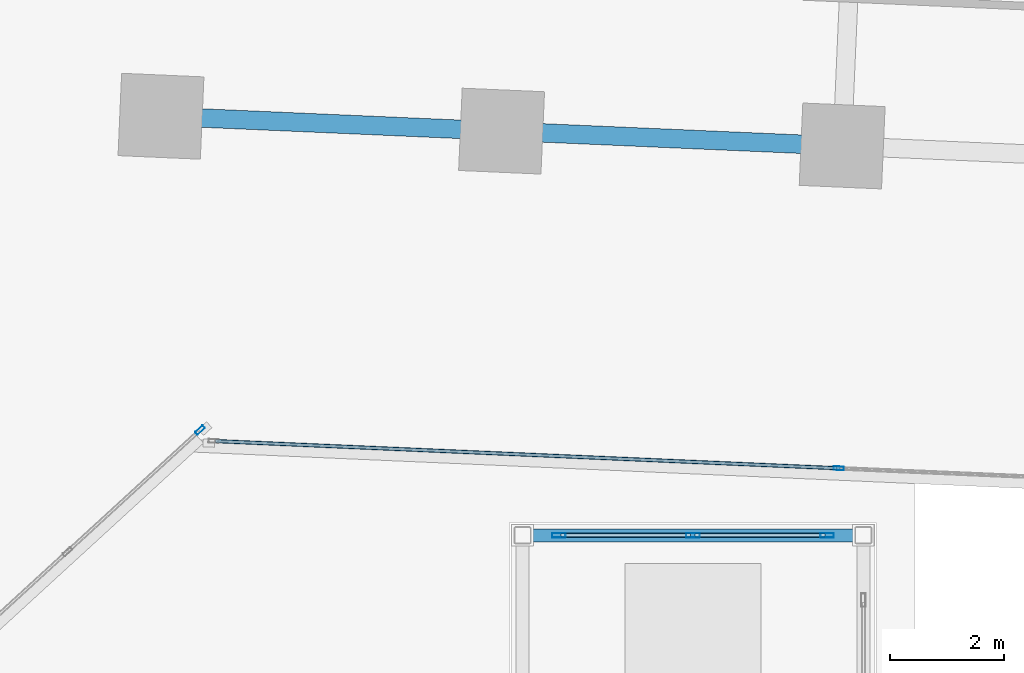
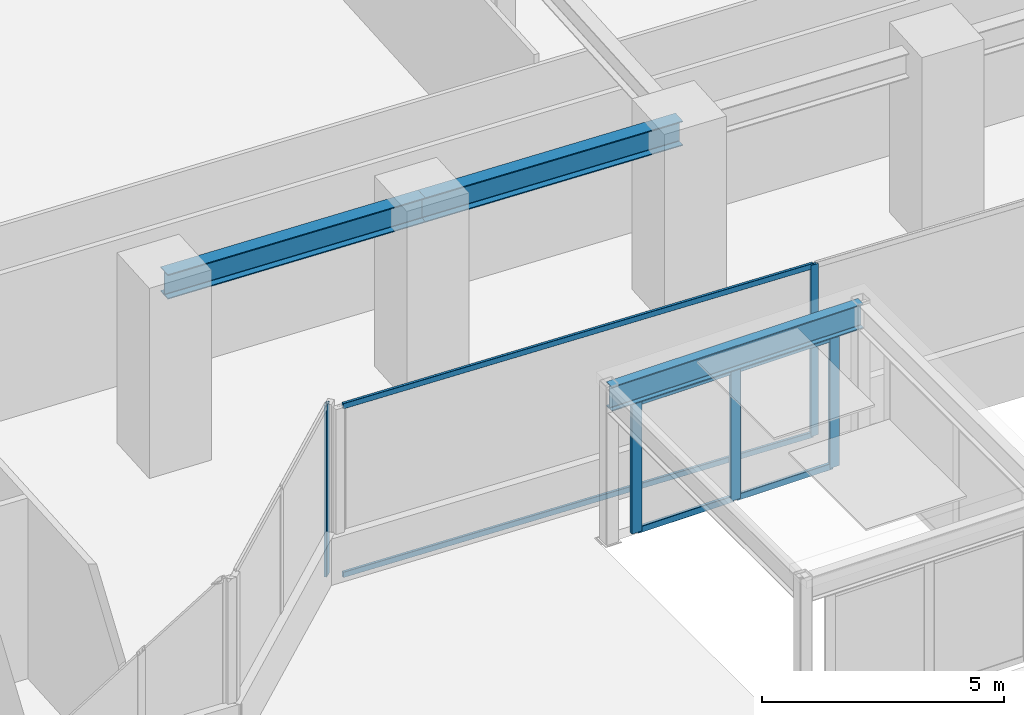
# One storey, part 11 of 33: 11 members, 3 beams, 3 elements without a shape of their own.
"""IFC4 building model written with IfcOpenShell, lengths in metres."""

from ifc_helpers import new_model, si_unit, direction, frame, origin, origin_2d, place, context, subcontext, project, spatial, hollow_rectangle, i_section, extrude, source, transform, mapped, material, material_profile, profile_set, type_object, element, aggregate, save


model = new_model("IFC4")

# Units and contexts
model_context = context("Model", 3, precision=1e-05, world=origin(), true_north=direction((0.0, 1.0)))
body_context = subcontext(model_context, "Body", "Model", "MODEL_VIEW")
ifc_project = project(units=[si_unit("LENGTHUNIT", "METRE"), si_unit("AREAUNIT", "SQUARE_METRE"), si_unit("VOLUMEUNIT", "CUBIC_METRE"), si_unit("PLANEANGLEUNIT", "RADIAN"), si_unit("MASSUNIT", "GRAM", prefix="KILO")], contexts=[model_context])

# Site, building, storey
site_placement = place(None, origin())
site = spatial("IfcSite", under=ifc_project, at=site_placement, CompositionType="ELEMENT")
building_placement = place(site_placement, origin())
building = spatial("IfcBuilding", under=site, at=building_placement, Name="Torre Montelarca", CompositionType="ELEMENT")
storey_placement = place(building_placement, frame((0.0, 0.0, 32.800048828125)))
storey = spatial("IfcBuildingStorey", under=building, at=storey_placement, Name="L07", CompositionType="ELEMENT", Elevation=32.800048828125)

# Beams
ifc_material_1 = material(Name="Steel ASTM A992 Grade 50", Category="steel")
ifc_material_profile_1 = material_profile(ifc_material_1, i_section(OverallWidth=0.22998046875, OverallDepth=0.616943359375, WebThickness=0.01318359375, FlangeThickness=0.022216796875, FilletRadius=0.014892578125, at=origin_2d()), Name="W610X140", Category="steel")
ifc_profile_set_1 = profile_set([ifc_material_profile_1], Name="Steel ASTM A992 Grade 50")
beam_type_1 = type_object("IfcBeamType", Name="BM-G-W610-EXT", PredefinedType="BEAM", material=ifc_profile_set_1)
shared_shape_1 = source(origin(), body_context, "Body", "SweptSolid", [
    extrude(i_section(OverallWidth=0.22998046875, OverallDepth=0.616943359375, WebThickness=0.01318359375, FlangeThickness=0.022216796875, FilletRadius=0.014892578125, at=origin_2d()), origin(), (0.0, 0.0, 1.0), 6.0),
])
beam_1_placement = place(storey_placement, frame((48.0, 16.0, 3.63134765625), z_axis=(-1.0, 0.0, 0.0), x_axis=(0.0, -1.0, 0.0)))
element("IfcBeam", 1, at=beam_1_placement, inside=storey, type_object=beam_type_1, Name="L07 Exchange Atrium Lantern Ring Beam 3", PredefinedType="BEAM", context=body_context, shape_type="MappedRepresentation", body=[
    mapped(shared_shape_1, transform((0.0, 0.0, 0.0), scale=1.0)),
])
ifc_material_profile_2 = material_profile(ifc_material_1, i_section(OverallWidth=0.326904296875, OverallDepth=0.6220703125, WebThickness=0.015380859375, FlangeThickness=0.0244140625, FilletRadius=0.014892578125, at=origin_2d()), Name="W610X195", Category="steel")
ifc_profile_set_2 = profile_set([ifc_material_profile_2], Name="Steel ASTM A992 Grade 50")
beam_type_2 = type_object("IfcBeamType", Name="BM-G-W610H", PredefinedType="BEAM", material=ifc_profile_set_2)
shared_shape_2 = source(origin(), body_context, "Body", "SweptSolid", [
    extrude(i_section(OverallWidth=0.326904296875, OverallDepth=0.6220703125, WebThickness=0.015380859375, FlangeThickness=0.0244140625, FilletRadius=0.014892578125, at=origin_2d()), origin(), (0.0, 0.0, 1.0), 6.0),
])
beam_2_placement = place(storey_placement, frame((35.63720703125, 23.375, 4.2490234375), z_axis=(0.999048234227, -0.043619097751, 0.0), x_axis=(0.043619097751, 0.999048234227, 0.0)))
element("IfcBeam", 2, at=beam_2_placement, inside=storey, type_object=beam_type_2, Name="L07 Grid Girder X 36.0-42.0 at Y=24.0", PredefinedType="BEAM", context=body_context, shape_type="MappedRepresentation", body=[
    mapped(shared_shape_2, transform((0.0, 0.0, 0.0), scale=1.0)),
])
shared_shape_3 = source(origin(), body_context, "Body", "SweptSolid", [
    extrude(i_section(OverallWidth=0.326904296875, OverallDepth=0.6220703125, WebThickness=0.015380859375, FlangeThickness=0.0244140625, FilletRadius=0.014892578125, at=origin_2d()), origin(), (0.0, 0.0, 1.0), 5.999755859375),
])
beam_3_placement = place(storey_placement, frame((41.631591796875, 23.11328125, 4.2490234375), z_axis=(0.999049929275, -0.043580257179, 0.0), x_axis=(0.043580257179, 0.999049929275, 0.0)))
element("IfcBeam", 3, at=beam_3_placement, inside=storey, type_object=beam_type_2, Name="L07 Grid Girder X 42.0-48.0 at Y=24.0", PredefinedType="BEAM", context=body_context, shape_type="MappedRepresentation", body=[
    mapped(shared_shape_3, transform((0.0, 0.0, 0.0), scale=1.0)),
])

# Curtain wall, member
ifc_material_2 = material(Name="Insulated low-E laminated glass", Category="glass")
curtain_wall_type_1 = type_object("IfcCurtainWallType", Name="CW-SYS-Z1", PredefinedType="USERDEFINED", material=ifc_material_2)
curtain_wall_1_placement = place(storey_placement, origin())
curtain_wall_1 = element("IfcCurtainWall", 4, at=curtain_wall_1_placement, inside=storey, type_object=curtain_wall_type_1, Name="L07 Curtain Wall Run CW-T3-L07-E02-B1", ObjectType="UNITISED GLAZING", PredefinedType="USERDEFINED")
ifc_material_3 = material(Name="Anodised aluminium AA 6063-T6", Category="aluminium")
ifc_material_profile_3 = material_profile(ifc_material_3, hollow_rectangle(XDim=0.06494140625, YDim=0.179931640625, WallThickness=0.00390625, InnerFilletRadius=0.00390625, OuterFilletRadius=0.008056640625, at=origin_2d()), Name="ALU65X180X4", Category="aluminium")
ifc_profile_set_3 = profile_set([ifc_material_profile_3], Name="Anodised aluminium AA 6063-T6")
member_type_1 = type_object("IfcMemberType", Name="CWM-ALU180", PredefinedType="MULLION", material=ifc_profile_set_3)
shared_shape_4 = source(origin(), body_context, "Body", "SweptSolid", [
    extrude(hollow_rectangle(XDim=0.06494140625, YDim=0.179931640625, WallThickness=0.00390625, InnerFilletRadius=0.00390625, OuterFilletRadius=0.008056640625, at=origin_2d()), origin(), (0.0, 0.0, 1.0), 4.320068359375),
])
member_1_placement = place(storey_placement, frame((36.324951171875, 17.8515625, 0.0), z_axis=(0.0, 0.0, 1.0), x_axis=(-0.675574618781, 0.737291621042, 0.0)))
member_1 = element("IfcMember", 5, at=member_1_placement, type_object=member_type_1, Name="CW mullion 3", PredefinedType="MULLION", context=body_context, shape_type="MappedRepresentation", body=[
    mapped(shared_shape_4, transform((0.0, 0.0, 0.0), scale=1.0)),
])
aggregate(curtain_wall_1, [member_1])

# Curtain wall, members
curtain_wall_2_placement = place(storey_placement, origin())
curtain_wall_2 = element("IfcCurtainWall", 6, at=curtain_wall_2_placement, inside=storey, type_object=curtain_wall_type_1, Name="L07 Curtain Wall Run CW-T3-L07-E04-B1", ObjectType="UNITISED GLAZING", PredefinedType="USERDEFINED")
member_2_placement = place(storey_placement, frame((47.56640625, 17.178955078125, 0.0), z_axis=(0.0, 0.0, 1.0), x_axis=(0.043617352644, 0.999048310418, 0.0)))
member_2 = element("IfcMember", 7, at=member_2_placement, type_object=member_type_1, Name="CW mullion 2", PredefinedType="MULLION", context=body_context, shape_type="MappedRepresentation", body=[
    mapped(shared_shape_4, transform((0.0, 0.0, 0.0), scale=1.0)),
])
ifc_material_profile_4 = material_profile(ifc_material_3, hollow_rectangle(XDim=0.06494140625, YDim=0.139892578125, WallThickness=0.00390625, InnerFilletRadius=0.00390625, OuterFilletRadius=0.008056640625, at=origin_2d()), Name="ALU65X140X4", Category="aluminium")
ifc_profile_set_4 = profile_set([ifc_material_profile_4], Name="Anodised aluminium AA 6063-T6")
member_type_2 = type_object("IfcMemberType", Name="CWT-ALU140", PredefinedType="USERDEFINED", material=ifc_profile_set_4)
shared_shape_5 = source(origin(), body_context, "Body", "SweptSolid", [
    extrude(hollow_rectangle(XDim=0.06494140625, YDim=0.139892578125, WallThickness=0.00390625, InnerFilletRadius=0.00390625, OuterFilletRadius=0.008056640625, at=origin_2d()), origin(), (0.0, 0.0, 1.0), 10.948486328125),
])
member_3_placement = place(storey_placement, frame((36.595947265625, 17.657958984375, 0.032470703125), z_axis=(0.999048316388, -0.043617215902, 0.0), x_axis=(0.043617215902, 0.999048316388, 0.0)))
member_3 = element("IfcMember", 8, at=member_3_placement, type_object=member_type_2, Name="CW transom 1.1", ObjectType="TRANSOM", PredefinedType="USERDEFINED", context=body_context, shape_type="MappedRepresentation", body=[
    mapped(shared_shape_5, transform((0.0, 0.0, 0.0), scale=1.0)),
])
member_4_placement = place(storey_placement, frame((36.595947265625, 17.657958984375, 4.287353515625), z_axis=(0.999048316388, -0.043617215902, 0.0), x_axis=(0.043617215902, 0.999048316388, 0.0)))
member_4 = element("IfcMember", 9, at=member_4_placement, type_object=member_type_2, Name="CW transom 1.2", ObjectType="TRANSOM", PredefinedType="USERDEFINED", context=body_context, shape_type="MappedRepresentation", body=[
    mapped(shared_shape_5, transform((0.0, 0.0, 0.0), scale=1.0)),
])
aggregate(curtain_wall_2, [member_2, member_3, member_4])

ifc_material_4 = material(Name="Amber translucent laminated glass", Category="glass")
curtain_wall_type_2 = type_object("IfcCurtainWallType", Name="CW-SYS-LANT", PredefinedType="USERDEFINED", material=ifc_material_4)
curtain_wall_3_placement = place(storey_placement, origin())
curtain_wall_3 = element("IfcCurtainWall", 10, at=curtain_wall_3_placement, inside=storey, type_object=curtain_wall_type_2, Name="L07 Exchange Atrium Lantern Clerestory N", ObjectType="TRANSLUCENT LANTERN", PredefinedType="USERDEFINED")
ifc_material_profile_5 = material_profile(ifc_material_3, hollow_rectangle(XDim=0.080078125, YDim=0.239990234375, WallThickness=0.0048828125, InnerFilletRadius=0.0048828125, OuterFilletRadius=0.010009765625, at=origin_2d()), Name="ALU80X240X5", Category="aluminium")
ifc_profile_set_5 = profile_set([ifc_material_profile_5], Name="Anodised aluminium AA 6063-T6")
member_type_3 = type_object("IfcMemberType", Name="CWM-ALU240", PredefinedType="MULLION", material=ifc_profile_set_5)
shared_shape_6 = source(origin(), body_context, "Body", "SweptSolid", [
    extrude(hollow_rectangle(XDim=0.080078125, YDim=0.239990234375, WallThickness=0.0048828125, InnerFilletRadius=0.0048828125, OuterFilletRadius=0.010009765625, at=origin_2d()), origin(), (0.0, 0.0, 1.0), 3.300048828125),
])
member_5_placement = place(storey_placement, frame((47.360107421875, 16.0, 0.0), z_axis=(0.0, 0.0, 1.0), x_axis=(0.0, -1.0, 0.0)))
member_5 = element("IfcMember", 11, at=member_5_placement, type_object=member_type_3, Name="CW mullion 1", PredefinedType="MULLION", context=body_context, shape_type="MappedRepresentation", body=[
    mapped(shared_shape_6, transform((0.0, 0.0, 0.0), scale=1.0)),
])
member_6_placement = place(storey_placement, frame((45.0, 16.0, 0.0), z_axis=(0.0, 0.0, 1.0), x_axis=(0.0, -1.0, 0.0)))
member_6 = element("IfcMember", 12, at=member_6_placement, type_object=member_type_3, Name="CW mullion 2", PredefinedType="MULLION", context=body_context, shape_type="MappedRepresentation", body=[
    mapped(shared_shape_6, transform((0.0, 0.0, 0.0), scale=1.0)),
])
member_7_placement = place(storey_placement, frame((42.639892578125, 16.0, 0.0), z_axis=(0.0, 0.0, 1.0), x_axis=(0.0, -1.0, 0.0)))
member_7 = element("IfcMember", 13, at=member_7_placement, type_object=member_type_3, Name="CW mullion 3", PredefinedType="MULLION", context=body_context, shape_type="MappedRepresentation", body=[
    mapped(shared_shape_6, transform((0.0, 0.0, 0.0), scale=1.0)),
])
ifc_material_profile_6 = material_profile(ifc_material_3, hollow_rectangle(XDim=0.074951171875, YDim=0.159912109375, WallThickness=0.0048828125, InnerFilletRadius=0.0048828125, OuterFilletRadius=0.010009765625, at=origin_2d()), Name="ALU75X160X5", Category="aluminium")
ifc_profile_set_6 = profile_set([ifc_material_profile_6], Name="Anodised aluminium AA 6063-T6")
member_type_4 = type_object("IfcMemberType", Name="CWT-ALU160", PredefinedType="USERDEFINED", material=ifc_profile_set_6)
shared_shape_7 = source(origin(), body_context, "Body", "SweptSolid", [
    extrude(hollow_rectangle(XDim=0.074951171875, YDim=0.159912109375, WallThickness=0.0048828125, InnerFilletRadius=0.0048828125, OuterFilletRadius=0.010009765625, at=origin_2d()), origin(), (0.0, 0.0, 1.0), 2.280029296875),
])
member_8_placement = place(storey_placement, frame((47.320068359375, 16.0, 0.037353515625), z_axis=(-1.0, 0.0, 0.0), x_axis=(0.0, -1.0, 0.0)))
member_8 = element("IfcMember", 14, at=member_8_placement, type_object=member_type_4, Name="CW transom 1.1", ObjectType="TRANSOM", PredefinedType="USERDEFINED", context=body_context, shape_type="MappedRepresentation", body=[
    mapped(shared_shape_7, transform((0.0, 0.0, 0.0), scale=1.0)),
])
member_9_placement = place(storey_placement, frame((47.320068359375, 16.0, 3.262451171875), z_axis=(-1.0, 0.0, 0.0), x_axis=(0.0, -1.0, 0.0)))
member_9 = element("IfcMember", 15, at=member_9_placement, type_object=member_type_4, Name="CW transom 1.2", ObjectType="TRANSOM", PredefinedType="USERDEFINED", context=body_context, shape_type="MappedRepresentation", body=[
    mapped(shared_shape_7, transform((0.0, 0.0, 0.0), scale=1.0)),
])
member_10_placement = place(storey_placement, frame((44.9599609375, 16.0, 0.037353515625), z_axis=(-1.0, 0.0, 0.0), x_axis=(0.0, -1.0, 0.0)))
member_10 = element("IfcMember", 16, at=member_10_placement, type_object=member_type_4, Name="CW transom 2.1", ObjectType="TRANSOM", PredefinedType="USERDEFINED", context=body_context, shape_type="MappedRepresentation", body=[
    mapped(shared_shape_7, transform((0.0, 0.0, 0.0), scale=1.0)),
])
member_11_placement = place(storey_placement, frame((44.9599609375, 16.0, 3.262451171875), z_axis=(-1.0, 0.0, 0.0), x_axis=(0.0, -1.0, 0.0)))
member_11 = element("IfcMember", 17, at=member_11_placement, type_object=member_type_4, Name="CW transom 2.2", ObjectType="TRANSOM", PredefinedType="USERDEFINED", context=body_context, shape_type="MappedRepresentation", body=[
    mapped(shared_shape_7, transform((0.0, 0.0, 0.0), scale=1.0)),
])
aggregate(curtain_wall_3, [member_5, member_6, member_7, member_8, member_9, member_10, member_11])

save(model, "model.ifc")
